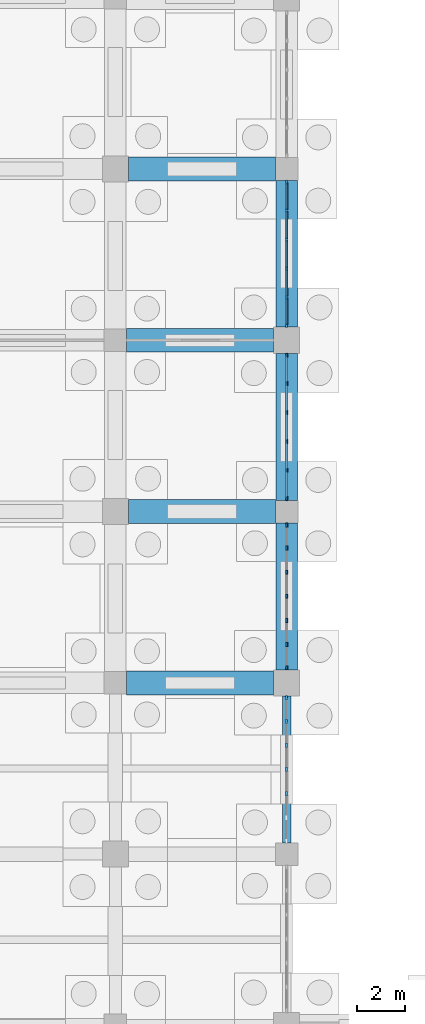
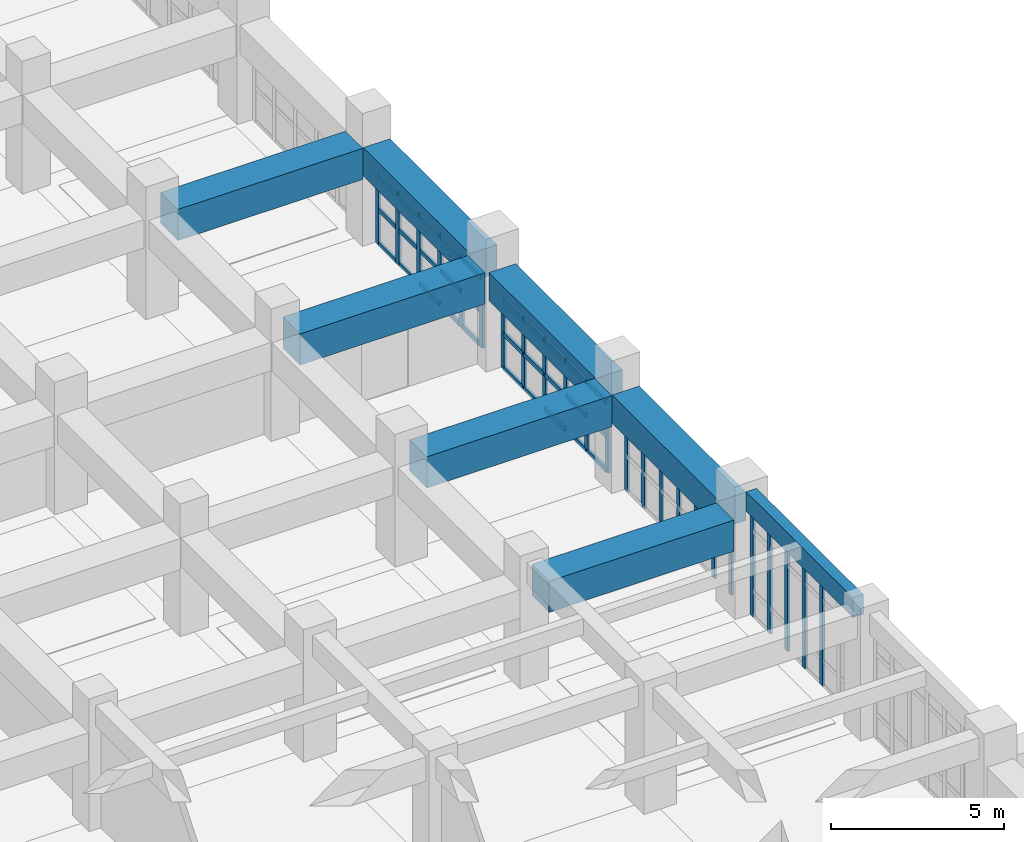
# One storey, part 20 of 79: 54 members, 8 beams, 4 elements without a shape of their own.
"""IFC4 building model written with IfcOpenShell, lengths in metres."""

from ifc_helpers import new_model, si_unit, direction, frame, origin, origin_2d, place, context, subcontext, project, spatial, rectangle, extrude, material, layer, layer_set, material_profile, profile_set, type_object, element, aggregate, save


model = new_model("IFC4")

# Units and contexts
model_context = context("Model", 3, precision=1e-05, world=origin(), true_north=direction((0.0, 1.0)))
body_context = subcontext(model_context, "Body", "Model", "MODEL_VIEW")
ifc_project = project(units=[si_unit("LENGTHUNIT", "METRE"), si_unit("AREAUNIT", "SQUARE_METRE"), si_unit("VOLUMEUNIT", "CUBIC_METRE"), si_unit("PLANEANGLEUNIT", "RADIAN"), si_unit("MASSUNIT", "GRAM", prefix="KILO")], contexts=[model_context])

# Site, building, storey
site_placement = place(None, origin())
site = spatial("IfcSite", under=ifc_project, at=site_placement, CompositionType="ELEMENT")
building_placement = place(site_placement, origin())
building = spatial("IfcBuilding", under=site, at=building_placement, Name="Kavelor Marine Aquarium", CompositionType="ELEMENT")
storey_placement = place(building_placement, origin())
storey = spatial("IfcBuildingStorey", under=building, at=storey_placement, Name="L00", CompositionType="ELEMENT", Elevation=0.0)

# Beams
ifc_material_1 = material(Name="Concrete C40/50", Category="concrete")
ifc_material_profile_1 = material_profile(ifc_material_1, rectangle(XDim=0.35009765625, YDim=0.699951171875, at=origin_2d()), Name="RC-SP 350x700")
ifc_profile_set_1 = profile_set([ifc_material_profile_1], Name="Concrete C40/50")
beam_type_1 = type_object("IfcBeamType", Name="BM-SP1", PredefinedType="SPANDREL", material=ifc_profile_set_1)
beam_1_placement = place(storey_placement, frame((39.199951171875, 32.074951171875, 4.030029296875), z_axis=(0.0, 1.0, 0.0), x_axis=(-1.0, 0.0, 0.0)))
element("IfcBeam", 1, at=beam_1_placement, inside=storey, type_object=beam_type_1, Name="bm:y:L00:L01:05_04", PredefinedType="SPANDREL", context=body_context, shape_type="SweptSolid", body=[
    extrude(rectangle(XDim=0.35009765625, YDim=0.699951171875, at=origin_2d()), origin(), (0.0, 0.0, 1.0), 6.175048828125),
])
ifc_material_2 = material(Name="Concrete C45/55", Category="concrete")
ifc_material_profile_2 = material_profile(ifc_material_2, rectangle(XDim=1.0, YDim=1.10009765625, at=origin_2d()), Name="RC-TG 1000x1100")
ifc_profile_set_2 = profile_set([ifc_material_profile_2], Name="Concrete C45/55")
beam_type_2 = type_object("IfcBeamType", Name="BM-TG1", PredefinedType="BEAM", material=ifc_profile_set_2)
beam_2_placement = place(storey_placement, frame((32.47509765625, 38.800048828125, 2.929931640625), z_axis=(1.0, 0.0, 0.0), x_axis=(0.0, 1.0, 0.0)))
element("IfcBeam", 2, at=beam_2_placement, inside=storey, type_object=beam_type_2, Name="bm:x:L00:L01:04_05", PredefinedType="BEAM", context=body_context, shape_type="SweptSolid", body=[
    extrude(rectangle(XDim=1.0, YDim=1.10009765625, at=origin_2d()), origin(), (0.0, 0.0, 1.0), 6.1748046875),
])
beam_3_placement = place(storey_placement, frame((32.550048828125, 46.0, 2.929931640625), z_axis=(1.0, 0.0, 0.0), x_axis=(0.0, 1.0, 0.0)))
element("IfcBeam", 3, at=beam_3_placement, inside=storey, type_object=beam_type_2, Name="bm:x:L00:L01:04_06", PredefinedType="BEAM", context=body_context, shape_type="SweptSolid", body=[
    extrude(rectangle(XDim=1.0, YDim=1.10009765625, at=origin_2d()), origin(), (0.0, 0.0, 1.0), 6.175048828125),
])
beam_4_placement = place(storey_placement, frame((32.47509765625, 53.199951171875, 2.929931640625), z_axis=(1.0, 0.0, 0.0), x_axis=(0.0, 1.0, 0.0)))
element("IfcBeam", 4, at=beam_4_placement, inside=storey, type_object=beam_type_2, Name="bm:x:L00:L01:04_07", PredefinedType="BEAM", context=body_context, shape_type="SweptSolid", body=[
    extrude(rectangle(XDim=1.0, YDim=1.10009765625, at=origin_2d()), origin(), (0.0, 0.0, 1.0), 6.1748046875),
])
beam_5_placement = place(storey_placement, frame((32.550048828125, 60.39990234375, 2.929931640625), z_axis=(1.0, 0.0, 0.0), x_axis=(0.0, 1.0, 0.0)))
element("IfcBeam", 5, at=beam_5_placement, inside=storey, type_object=beam_type_2, Name="bm:x:L00:L01:04_08", PredefinedType="BEAM", context=body_context, shape_type="SweptSolid", body=[
    extrude(rectangle(XDim=1.0, YDim=1.10009765625, at=origin_2d()), origin(), (0.0, 0.0, 1.0), 6.175048828125),
])
ifc_material_3 = material(Name="Concrete C45/55", Category="concrete")
ifc_material_profile_3 = material_profile(ifc_material_3, rectangle(XDim=0.89990234375, YDim=1.0, at=origin_2d()), Name="RC-TG 900x1000")
ifc_profile_set_3 = profile_set([ifc_material_profile_3], Name="Concrete C45/55")
beam_type_3 = type_object("IfcBeamType", Name="BM-TG2", PredefinedType="BEAM", material=ifc_profile_set_3)
for number, where, z_axis, x_axis, name in (
    (6, (39.199951171875, 39.35009765625, 2.97998046875), (0.0, 1.0, 0.0), (-1.0, 0.0, 0.0), "bm:y:L00:L01:05_05"),
    (7, (39.199951171875, 46.47509765625, 2.97998046875), (0.0, 1.0, 0.0), (-1.0, 0.0, 0.0), "bm:y:L00:L01:05_06"),
):
    element("IfcBeam", number, at=place(storey_placement, frame(where, z_axis=z_axis, x_axis=x_axis)), inside=storey, type_object=beam_type_3, Name=name, PredefinedType="BEAM", context=body_context, shape_type="SweptSolid", body=[
        extrude(rectangle(XDim=0.89990234375, YDim=1.0, at=origin_2d()), origin(), (0.0, 0.0, 1.0), 6.1748046875),
    ])
beam_6_placement = place(storey_placement, frame((39.199951171875, 53.75, 2.97998046875), z_axis=(0.0, 1.0, 0.0), x_axis=(-1.0, 0.0, 0.0)))
element("IfcBeam", 8, at=beam_6_placement, inside=storey, type_object=beam_type_3, Name="bm:y:L00:L01:05_07", PredefinedType="BEAM", context=body_context, shape_type="SweptSolid", body=[
    extrude(rectangle(XDim=0.89990234375, YDim=1.0, at=origin_2d()), origin(), (0.0, 0.0, 1.0), 6.175048828125),
])

# Curtain wall, members
ifc_material_4 = material(Name="Thermally Broken Aluminium and Low-E Glass", Category="aluminium")
ifc_layer_1 = layer(ifc_material_4, 0.172119140625)
ifc_layer_set_1 = layer_set([ifc_layer_1], Name="CW-SYS4")
curtain_wall_type_1 = type_object("IfcCurtainWallType", Name="CW-SYS4", PredefinedType="USERDEFINED", material=ifc_layer_set_1)
curtain_wall_1_placement = place(storey_placement, origin())
curtain_wall_1 = element("IfcCurtainWall", 9, at=curtain_wall_1_placement, inside=storey, type_object=curtain_wall_type_1, Name="cw:y:L00:05_05", ObjectType="Curtain Wall", PredefinedType="USERDEFINED")
ifc_material_5 = material(Name="Anodised Aluminium Alloy 6063-T6", Category="aluminium")
ifc_material_profile_4 = material_profile(ifc_material_5, rectangle(XDim=0.074951171875, YDim=0.179931640625, at=origin_2d()), Name="CW-MUL 75x180")
ifc_profile_set_4 = profile_set([ifc_material_profile_4], Name="Anodised Aluminium Alloy 6063-T6")
member_type_1 = type_object("IfcMemberType", Name="CWM-1", PredefinedType="MULLION", material=ifc_profile_set_4)
member_1_placement = place(storey_placement, frame((39.199951171875, 39.4326171875, 0.0), z_axis=(0.0, 0.0, 1.0), x_axis=(-1.0, 0.0, 0.0)))
member_1 = element("IfcMember", 10, at=member_1_placement, type_object=member_type_1, Name="CW04 mullion 1", PredefinedType="MULLION", context=body_context, shape_type="SweptSolid", body=[
    extrude(rectangle(XDim=0.074951171875, YDim=0.179931640625, at=origin_2d()), origin(), (0.0, 0.0, 1.0), 2.469970703125),
])
member_2_placement = place(storey_placement, frame((39.199951171875, 40.4091796875, 0.0), z_axis=(0.0, 0.0, 1.0), x_axis=(-1.0, 0.0, 0.0)))
member_2 = element("IfcMember", 11, at=member_2_placement, type_object=member_type_1, Name="CW04 mullion 2", PredefinedType="MULLION", context=body_context, shape_type="SweptSolid", body=[
    extrude(rectangle(XDim=0.074951171875, YDim=0.179931640625, at=origin_2d()), origin(), (0.0, 0.0, 1.0), 2.469970703125),
])
member_3_placement = place(storey_placement, frame((39.199951171875, 41.42333984375, 0.0), z_axis=(0.0, 0.0, 1.0), x_axis=(-1.0, 0.0, 0.0)))
member_3 = element("IfcMember", 12, at=member_3_placement, type_object=member_type_1, Name="CW04 mullion 3", PredefinedType="MULLION", context=body_context, shape_type="SweptSolid", body=[
    extrude(rectangle(XDim=0.074951171875, YDim=0.179931640625, at=origin_2d()), origin(), (0.0, 0.0, 1.0), 2.469970703125),
])
member_4_placement = place(storey_placement, frame((39.199951171875, 42.4375, 0.0), z_axis=(0.0, 0.0, 1.0), x_axis=(-1.0, 0.0, 0.0)))
member_4 = element("IfcMember", 13, at=member_4_placement, type_object=member_type_1, Name="CW04 mullion 4", PredefinedType="MULLION", context=body_context, shape_type="SweptSolid", body=[
    extrude(rectangle(XDim=0.074951171875, YDim=0.179931640625, at=origin_2d()), origin(), (0.0, 0.0, 1.0), 2.469970703125),
])
member_5_placement = place(storey_placement, frame((39.199951171875, 43.45166015625, 0.0), z_axis=(0.0, 0.0, 1.0), x_axis=(-1.0, 0.0, 0.0)))
member_5 = element("IfcMember", 14, at=member_5_placement, type_object=member_type_1, Name="CW04 mullion 5", PredefinedType="MULLION", context=body_context, shape_type="SweptSolid", body=[
    extrude(rectangle(XDim=0.074951171875, YDim=0.179931640625, at=origin_2d()), origin(), (0.0, 0.0, 1.0), 2.469970703125),
])
member_6_placement = place(storey_placement, frame((39.199951171875, 44.4658203125, 0.0), z_axis=(0.0, 0.0, 1.0), x_axis=(-1.0, 0.0, 0.0)))
member_6 = element("IfcMember", 15, at=member_6_placement, type_object=member_type_1, Name="CW04 mullion 6", PredefinedType="MULLION", context=body_context, shape_type="SweptSolid", body=[
    extrude(rectangle(XDim=0.074951171875, YDim=0.179931640625, at=origin_2d()), origin(), (0.0, 0.0, 1.0), 2.469970703125),
])
member_7_placement = place(storey_placement, frame((39.199951171875, 45.4423828125, 0.0), z_axis=(0.0, 0.0, 1.0), x_axis=(-1.0, 0.0, 0.0)))
member_7 = element("IfcMember", 16, at=member_7_placement, type_object=member_type_1, Name="CW04 mullion 7", PredefinedType="MULLION", context=body_context, shape_type="SweptSolid", body=[
    extrude(rectangle(XDim=0.074951171875, YDim=0.179931640625, at=origin_2d()), origin(), (0.0, 0.0, 1.0), 2.469970703125),
])
aggregate(curtain_wall_1, [member_1, member_2, member_3, member_4, member_5, member_6, member_7])

ifc_material_6 = material(Name="Thermally Broken Aluminium and Low-E Glass", Category="aluminium")
ifc_layer_2 = layer(ifc_material_6, 0.179931640625)
ifc_layer_set_2 = layer_set([ifc_layer_2], Name="CW-SYS5")
curtain_wall_type_2 = type_object("IfcCurtainWallType", Name="CW-SYS5", PredefinedType="USERDEFINED", material=ifc_layer_set_2)
curtain_wall_2_placement = place(storey_placement, origin())
curtain_wall_2 = element("IfcCurtainWall", 17, at=curtain_wall_2_placement, inside=storey, type_object=curtain_wall_type_2, Name="cw:y:L00:05_06", ObjectType="Curtain Wall", PredefinedType="USERDEFINED")
ifc_material_7 = material(Name="Anodised Aluminium Alloy 6063-T6", Category="aluminium")
ifc_material_profile_5 = material_profile(ifc_material_7, rectangle(XDim=0.080078125, YDim=0.18505859375, at=origin_2d()), Name="CW-MUL 80x185")
ifc_profile_set_5 = profile_set([ifc_material_profile_5], Name="Anodised Aluminium Alloy 6063-T6")
member_type_2 = type_object("IfcMemberType", Name="CWM-2", PredefinedType="MULLION", material=ifc_profile_set_5)
member_8_placement = place(storey_placement, frame((39.199951171875, 46.552490234375, 0.0), z_axis=(0.0, 0.0, 1.0), x_axis=(-1.0, 0.0, 0.0)))
member_8 = element("IfcMember", 18, at=member_8_placement, type_object=member_type_2, Name="CW05 mullion 1", PredefinedType="MULLION", context=body_context, shape_type="SweptSolid", body=[
    extrude(rectangle(XDim=0.080078125, YDim=0.18505859375, at=origin_2d()), origin(), (0.0, 0.0, 1.0), 2.469970703125),
])
member_9_placement = place(storey_placement, frame((39.199951171875, 47.737060546875, 0.0), z_axis=(0.0, 0.0, 1.0), x_axis=(-1.0, 0.0, 0.0)))
member_9 = element("IfcMember", 19, at=member_9_placement, type_object=member_type_2, Name="CW05 mullion 2", PredefinedType="MULLION", context=body_context, shape_type="SweptSolid", body=[
    extrude(rectangle(XDim=0.080078125, YDim=0.18505859375, at=origin_2d()), origin(), (0.0, 0.0, 1.0), 2.469970703125),
])
member_10_placement = place(storey_placement, frame((39.199951171875, 48.9541015625, 0.0), z_axis=(0.0, 0.0, 1.0), x_axis=(-1.0, 0.0, 0.0)))
member_10 = element("IfcMember", 20, at=member_10_placement, type_object=member_type_2, Name="CW05 mullion 3", PredefinedType="MULLION", context=body_context, shape_type="SweptSolid", body=[
    extrude(rectangle(XDim=0.080078125, YDim=0.18505859375, at=origin_2d()), origin(), (0.0, 0.0, 1.0), 2.469970703125),
])
member_11_placement = place(storey_placement, frame((39.199951171875, 50.1708984375, 0.0), z_axis=(0.0, 0.0, 1.0), x_axis=(-1.0, 0.0, 0.0)))
member_11 = element("IfcMember", 21, at=member_11_placement, type_object=member_type_2, Name="CW05 mullion 4", PredefinedType="MULLION", context=body_context, shape_type="SweptSolid", body=[
    extrude(rectangle(XDim=0.080078125, YDim=0.18505859375, at=origin_2d()), origin(), (0.0, 0.0, 1.0), 2.469970703125),
])
member_12_placement = place(storey_placement, frame((39.199951171875, 51.387939453125, 0.0), z_axis=(0.0, 0.0, 1.0), x_axis=(-1.0, 0.0, 0.0)))
member_12 = element("IfcMember", 22, at=member_12_placement, type_object=member_type_2, Name="CW05 mullion 5", PredefinedType="MULLION", context=body_context, shape_type="SweptSolid", body=[
    extrude(rectangle(XDim=0.080078125, YDim=0.18505859375, at=origin_2d()), origin(), (0.0, 0.0, 1.0), 2.469970703125),
])
member_13_placement = place(storey_placement, frame((39.199951171875, 52.572509765625, 0.0), z_axis=(0.0, 0.0, 1.0), x_axis=(-1.0, 0.0, 0.0)))
member_13 = element("IfcMember", 23, at=member_13_placement, type_object=member_type_2, Name="CW05 mullion 6", PredefinedType="MULLION", context=body_context, shape_type="SweptSolid", body=[
    extrude(rectangle(XDim=0.080078125, YDim=0.18505859375, at=origin_2d()), origin(), (0.0, 0.0, 1.0), 2.469970703125),
])

ifc_material_8 = material(Name="Thermally Broken Aluminium and Low-E Glass", Category="aluminium")
ifc_layer_3 = layer(ifc_material_8, 0.1640625)
ifc_layer_set_3 = layer_set([ifc_layer_3], Name="CW-SYS3")
curtain_wall_type_3 = type_object("IfcCurtainWallType", Name="CW-SYS3", PredefinedType="USERDEFINED", material=ifc_layer_set_3)
curtain_wall_3_placement = place(storey_placement, origin())
curtain_wall_3 = element("IfcCurtainWall", 24, at=curtain_wall_3_placement, inside=storey, type_object=curtain_wall_type_3, Name="cw:y:L00:05_04", ObjectType="Curtain Wall", PredefinedType="USERDEFINED")
ifc_material_9 = material(Name="Anodised Aluminium Alloy 6063-T6", Category="aluminium")
ifc_material_profile_6 = material_profile(ifc_material_9, rectangle(XDim=0.0849609375, YDim=0.18994140625, at=origin_2d()), Name="CW-MUL 85x190")
ifc_profile_set_6 = profile_set([ifc_material_profile_6], Name="Anodised Aluminium Alloy 6063-T6")
member_type_3 = type_object("IfcMemberType", Name="CWM-3", PredefinedType="MULLION", material=ifc_profile_set_6)
member_14_placement = place(storey_placement, frame((39.199951171875, 34.1484375, 0.0), z_axis=(0.0, 0.0, 1.0), x_axis=(-1.0, 0.0, 0.0)))
member_14 = element("IfcMember", 25, at=member_14_placement, type_object=member_type_3, Name="CW03 mullion 3", PredefinedType="MULLION", context=body_context, shape_type="SweptSolid", body=[
    extrude(rectangle(XDim=0.0849609375, YDim=0.18994140625, at=origin_2d()), origin(), (0.0, 0.0, 1.0), 3.669921875),
])
member_15_placement = place(storey_placement, frame((39.199951171875, 35.16259765625, 0.0), z_axis=(0.0, 0.0, 1.0), x_axis=(-1.0, 0.0, 0.0)))
member_15 = element("IfcMember", 26, at=member_15_placement, type_object=member_type_3, Name="CW03 mullion 4", PredefinedType="MULLION", context=body_context, shape_type="SweptSolid", body=[
    extrude(rectangle(XDim=0.0849609375, YDim=0.18994140625, at=origin_2d()), origin(), (0.0, 0.0, 1.0), 3.669921875),
])
member_16_placement = place(storey_placement, frame((39.199951171875, 36.1767578125, 0.0), z_axis=(0.0, 0.0, 1.0), x_axis=(-1.0, 0.0, 0.0)))
member_16 = element("IfcMember", 27, at=member_16_placement, type_object=member_type_3, Name="CW03 mullion 5", PredefinedType="MULLION", context=body_context, shape_type="SweptSolid", body=[
    extrude(rectangle(XDim=0.0849609375, YDim=0.18994140625, at=origin_2d()), origin(), (0.0, 0.0, 1.0), 3.669921875),
])
member_17_placement = place(storey_placement, frame((39.199951171875, 37.19091796875, 0.0), z_axis=(0.0, 0.0, 1.0), x_axis=(-1.0, 0.0, 0.0)))
member_17 = element("IfcMember", 28, at=member_17_placement, type_object=member_type_3, Name="CW03 mullion 6", PredefinedType="MULLION", context=body_context, shape_type="SweptSolid", body=[
    extrude(rectangle(XDim=0.0849609375, YDim=0.18994140625, at=origin_2d()), origin(), (0.0, 0.0, 1.0), 3.669921875),
])
member_18_placement = place(storey_placement, frame((39.199951171875, 38.175048828125, 0.0), z_axis=(0.0, 0.0, 1.0), x_axis=(-1.0, 0.0, 0.0)))
member_18 = element("IfcMember", 29, at=member_18_placement, type_object=member_type_3, Name="CW03 mullion 7", PredefinedType="MULLION", context=body_context, shape_type="SweptSolid", body=[
    extrude(rectangle(XDim=0.0849609375, YDim=0.18994140625, at=origin_2d()), origin(), (0.0, 0.0, 1.0), 3.669921875),
])
aggregate(curtain_wall_3, [member_14, member_15, member_16, member_17, member_18])

ifc_material_10 = material(Name="Thermally Broken Aluminium and Low-E Glass", Category="aluminium")
ifc_layer_4 = layer(ifc_material_10, 0.18798828125)
ifc_layer_set_4 = layer_set([ifc_layer_4], Name="CW-SYS6")
curtain_wall_type_4 = type_object("IfcCurtainWallType", Name="CW-SYS6", PredefinedType="USERDEFINED", material=ifc_layer_set_4)
curtain_wall_4_placement = place(storey_placement, origin())
curtain_wall_4 = element("IfcCurtainWall", 30, at=curtain_wall_4_placement, inside=storey, type_object=curtain_wall_type_4, Name="cw:y:L00:05_07", ObjectType="Curtain Wall", PredefinedType="USERDEFINED")
member_19_placement = place(storey_placement, frame((39.199951171875, 53.824951171875, 0.0), z_axis=(0.0, 0.0, 1.0), x_axis=(-1.0, 0.0, 0.0)))
member_19 = element("IfcMember", 31, at=member_19_placement, type_object=member_type_3, Name="CW06 mullion 1", PredefinedType="MULLION", context=body_context, shape_type="SweptSolid", body=[
    extrude(rectangle(XDim=0.0849609375, YDim=0.18994140625, at=origin_2d()), origin(), (0.0, 0.0, 1.0), 2.469970703125),
])
member_20_placement = place(storey_placement, frame((39.199951171875, 55.011962890625, 0.0), z_axis=(0.0, 0.0, 1.0), x_axis=(-1.0, 0.0, 0.0)))
member_20 = element("IfcMember", 32, at=member_20_placement, type_object=member_type_3, Name="CW06 mullion 2", PredefinedType="MULLION", context=body_context, shape_type="SweptSolid", body=[
    extrude(rectangle(XDim=0.0849609375, YDim=0.18994140625, at=origin_2d()), origin(), (0.0, 0.0, 1.0), 2.469970703125),
])
member_21_placement = place(storey_placement, frame((39.199951171875, 56.22900390625, 0.0), z_axis=(0.0, 0.0, 1.0), x_axis=(-1.0, 0.0, 0.0)))
member_21 = element("IfcMember", 33, at=member_21_placement, type_object=member_type_3, Name="CW06 mullion 3", PredefinedType="MULLION", context=body_context, shape_type="SweptSolid", body=[
    extrude(rectangle(XDim=0.0849609375, YDim=0.18994140625, at=origin_2d()), origin(), (0.0, 0.0, 1.0), 2.469970703125),
])
member_22_placement = place(storey_placement, frame((39.199951171875, 57.446044921875, 0.0), z_axis=(0.0, 0.0, 1.0), x_axis=(-1.0, 0.0, 0.0)))
member_22 = element("IfcMember", 34, at=member_22_placement, type_object=member_type_3, Name="CW06 mullion 4", PredefinedType="MULLION", context=body_context, shape_type="SweptSolid", body=[
    extrude(rectangle(XDim=0.0849609375, YDim=0.18994140625, at=origin_2d()), origin(), (0.0, 0.0, 1.0), 2.469970703125),
])
member_23_placement = place(storey_placement, frame((39.199951171875, 58.6630859375, 0.0), z_axis=(0.0, 0.0, 1.0), x_axis=(-1.0, 0.0, 0.0)))
member_23 = element("IfcMember", 35, at=member_23_placement, type_object=member_type_3, Name="CW06 mullion 5", PredefinedType="MULLION", context=body_context, shape_type="SweptSolid", body=[
    extrude(rectangle(XDim=0.0849609375, YDim=0.18994140625, at=origin_2d()), origin(), (0.0, 0.0, 1.0), 2.469970703125),
])
member_24_placement = place(storey_placement, frame((39.199951171875, 59.85009765625, 0.0), z_axis=(0.0, 0.0, 1.0), x_axis=(-1.0, 0.0, 0.0)))
member_24 = element("IfcMember", 36, at=member_24_placement, type_object=member_type_3, Name="CW06 mullion 6", PredefinedType="MULLION", context=body_context, shape_type="SweptSolid", body=[
    extrude(rectangle(XDim=0.0849609375, YDim=0.18994140625, at=origin_2d()), origin(), (0.0, 0.0, 1.0), 2.469970703125),
])
ifc_material_11 = material(Name="Anodised Aluminium Alloy 6063-T6", Category="aluminium")
ifc_material_profile_7 = material_profile(ifc_material_11, rectangle(XDim=0.074951171875, YDim=0.14990234375, at=origin_2d()), Name="CW-TRN 75x150")
ifc_profile_set_7 = profile_set([ifc_material_profile_7], Name="Anodised Aluminium Alloy 6063-T6")
member_type_4 = type_object("IfcMemberType", Name="CWT-1", PredefinedType="USERDEFINED", material=ifc_profile_set_7)
member_25_placement = place(storey_placement, frame((39.199951171875, 53.85498046875, 0.03759765625), z_axis=(0.0, 1.0, 0.0), x_axis=(-1.0, 0.0, 0.0)))
member_25 = element("IfcMember", 37, at=member_25_placement, type_object=member_type_4, Name="CW06 transom 1.1", ObjectType="TRANSOM", PredefinedType="USERDEFINED", context=body_context, shape_type="SweptSolid", body=[
    extrude(rectangle(XDim=0.074951171875, YDim=0.14990234375, at=origin_2d()), origin(), (0.0, 0.0, 1.0), 1.126953125),
])
member_26_placement = place(storey_placement, frame((39.199951171875, 53.85498046875, 1.235107421875), z_axis=(0.0, 1.0, 0.0), x_axis=(-1.0, 0.0, 0.0)))
member_26 = element("IfcMember", 38, at=member_26_placement, type_object=member_type_4, Name="CW06 transom 1.2", ObjectType="TRANSOM", PredefinedType="USERDEFINED", context=body_context, shape_type="SweptSolid", body=[
    extrude(rectangle(XDim=0.074951171875, YDim=0.14990234375, at=origin_2d()), origin(), (0.0, 0.0, 1.0), 1.126953125),
])
member_27_placement = place(storey_placement, frame((39.199951171875, 53.85498046875, 2.4326171875), z_axis=(0.0, 1.0, 0.0), x_axis=(-1.0, 0.0, 0.0)))
member_27 = element("IfcMember", 39, at=member_27_placement, type_object=member_type_4, Name="CW06 transom 1.3", ObjectType="TRANSOM", PredefinedType="USERDEFINED", context=body_context, shape_type="SweptSolid", body=[
    extrude(rectangle(XDim=0.074951171875, YDim=0.14990234375, at=origin_2d()), origin(), (0.0, 0.0, 1.0), 1.126953125),
])
member_28_placement = place(storey_placement, frame((39.199951171875, 55.0419921875, 0.03759765625), z_axis=(0.0, 1.0, 0.0), x_axis=(-1.0, 0.0, 0.0)))
member_28 = element("IfcMember", 40, at=member_28_placement, type_object=member_type_4, Name="CW06 transom 2.1", ObjectType="TRANSOM", PredefinedType="USERDEFINED", context=body_context, shape_type="SweptSolid", body=[
    extrude(rectangle(XDim=0.074951171875, YDim=0.14990234375, at=origin_2d()), origin(), (0.0, 0.0, 1.0), 1.156982421875),
])
member_29_placement = place(storey_placement, frame((39.199951171875, 55.0419921875, 1.235107421875), z_axis=(0.0, 1.0, 0.0), x_axis=(-1.0, 0.0, 0.0)))
member_29 = element("IfcMember", 41, at=member_29_placement, type_object=member_type_4, Name="CW06 transom 2.2", ObjectType="TRANSOM", PredefinedType="USERDEFINED", context=body_context, shape_type="SweptSolid", body=[
    extrude(rectangle(XDim=0.074951171875, YDim=0.14990234375, at=origin_2d()), origin(), (0.0, 0.0, 1.0), 1.156982421875),
])
member_30_placement = place(storey_placement, frame((39.199951171875, 55.0419921875, 2.4326171875), z_axis=(0.0, 1.0, 0.0), x_axis=(-1.0, 0.0, 0.0)))
member_30 = element("IfcMember", 42, at=member_30_placement, type_object=member_type_4, Name="CW06 transom 2.3", ObjectType="TRANSOM", PredefinedType="USERDEFINED", context=body_context, shape_type="SweptSolid", body=[
    extrude(rectangle(XDim=0.074951171875, YDim=0.14990234375, at=origin_2d()), origin(), (0.0, 0.0, 1.0), 1.156982421875),
])
member_31_placement = place(storey_placement, frame((39.199951171875, 56.259033203125, 0.03759765625), z_axis=(0.0, 1.0, 0.0), x_axis=(-1.0, 0.0, 0.0)))
member_31 = element("IfcMember", 43, at=member_31_placement, type_object=member_type_4, Name="CW06 transom 3.1", ObjectType="TRANSOM", PredefinedType="USERDEFINED", context=body_context, shape_type="SweptSolid", body=[
    extrude(rectangle(XDim=0.074951171875, YDim=0.14990234375, at=origin_2d()), origin(), (0.0, 0.0, 1.0), 1.156982421875),
])
member_32_placement = place(storey_placement, frame((39.199951171875, 56.259033203125, 1.235107421875), z_axis=(0.0, 1.0, 0.0), x_axis=(-1.0, 0.0, 0.0)))
member_32 = element("IfcMember", 44, at=member_32_placement, type_object=member_type_4, Name="CW06 transom 3.2", ObjectType="TRANSOM", PredefinedType="USERDEFINED", context=body_context, shape_type="SweptSolid", body=[
    extrude(rectangle(XDim=0.074951171875, YDim=0.14990234375, at=origin_2d()), origin(), (0.0, 0.0, 1.0), 1.156982421875),
])
member_33_placement = place(storey_placement, frame((39.199951171875, 56.259033203125, 2.4326171875), z_axis=(0.0, 1.0, 0.0), x_axis=(-1.0, 0.0, 0.0)))
member_33 = element("IfcMember", 45, at=member_33_placement, type_object=member_type_4, Name="CW06 transom 3.3", ObjectType="TRANSOM", PredefinedType="USERDEFINED", context=body_context, shape_type="SweptSolid", body=[
    extrude(rectangle(XDim=0.074951171875, YDim=0.14990234375, at=origin_2d()), origin(), (0.0, 0.0, 1.0), 1.156982421875),
])
member_34_placement = place(storey_placement, frame((39.199951171875, 57.47607421875, 0.03759765625), z_axis=(0.0, 1.0, 0.0), x_axis=(-1.0, 0.0, 0.0)))
member_34 = element("IfcMember", 46, at=member_34_placement, type_object=member_type_4, Name="CW06 transom 4.1", ObjectType="TRANSOM", PredefinedType="USERDEFINED", context=body_context, shape_type="SweptSolid", body=[
    extrude(rectangle(XDim=0.074951171875, YDim=0.14990234375, at=origin_2d()), origin(), (0.0, 0.0, 1.0), 1.156982421875),
])
member_35_placement = place(storey_placement, frame((39.199951171875, 57.47607421875, 1.235107421875), z_axis=(0.0, 1.0, 0.0), x_axis=(-1.0, 0.0, 0.0)))
member_35 = element("IfcMember", 47, at=member_35_placement, type_object=member_type_4, Name="CW06 transom 4.2", ObjectType="TRANSOM", PredefinedType="USERDEFINED", context=body_context, shape_type="SweptSolid", body=[
    extrude(rectangle(XDim=0.074951171875, YDim=0.14990234375, at=origin_2d()), origin(), (0.0, 0.0, 1.0), 1.156982421875),
])
member_36_placement = place(storey_placement, frame((39.199951171875, 57.47607421875, 2.4326171875), z_axis=(0.0, 1.0, 0.0), x_axis=(-1.0, 0.0, 0.0)))
member_36 = element("IfcMember", 48, at=member_36_placement, type_object=member_type_4, Name="CW06 transom 4.3", ObjectType="TRANSOM", PredefinedType="USERDEFINED", context=body_context, shape_type="SweptSolid", body=[
    extrude(rectangle(XDim=0.074951171875, YDim=0.14990234375, at=origin_2d()), origin(), (0.0, 0.0, 1.0), 1.156982421875),
])
member_37_placement = place(storey_placement, frame((39.199951171875, 58.693115234375, 0.03759765625), z_axis=(0.0, 1.0, 0.0), x_axis=(-1.0, 0.0, 0.0)))
member_37 = element("IfcMember", 49, at=member_37_placement, type_object=member_type_4, Name="CW06 transom 5.1", ObjectType="TRANSOM", PredefinedType="USERDEFINED", context=body_context, shape_type="SweptSolid", body=[
    extrude(rectangle(XDim=0.074951171875, YDim=0.14990234375, at=origin_2d()), origin(), (0.0, 0.0, 1.0), 1.126953125),
])
member_38_placement = place(storey_placement, frame((39.199951171875, 58.693115234375, 1.235107421875), z_axis=(0.0, 1.0, 0.0), x_axis=(-1.0, 0.0, 0.0)))
member_38 = element("IfcMember", 50, at=member_38_placement, type_object=member_type_4, Name="CW06 transom 5.2", ObjectType="TRANSOM", PredefinedType="USERDEFINED", context=body_context, shape_type="SweptSolid", body=[
    extrude(rectangle(XDim=0.074951171875, YDim=0.14990234375, at=origin_2d()), origin(), (0.0, 0.0, 1.0), 1.126953125),
])
member_39_placement = place(storey_placement, frame((39.199951171875, 58.693115234375, 2.4326171875), z_axis=(0.0, 1.0, 0.0), x_axis=(-1.0, 0.0, 0.0)))
member_39 = element("IfcMember", 51, at=member_39_placement, type_object=member_type_4, Name="CW06 transom 5.3", ObjectType="TRANSOM", PredefinedType="USERDEFINED", context=body_context, shape_type="SweptSolid", body=[
    extrude(rectangle(XDim=0.074951171875, YDim=0.14990234375, at=origin_2d()), origin(), (0.0, 0.0, 1.0), 1.126953125),
])
aggregate(curtain_wall_4, [member_19, member_20, member_21, member_22, member_23, member_24, member_25, member_26, member_27, member_28, member_29, member_30, member_31, member_32, member_33, member_34, member_35, member_36, member_37, member_38, member_39])

# Member
ifc_material_12 = material(Name="Anodised Aluminium Alloy 6063-T6", Category="aluminium")
ifc_material_profile_8 = material_profile(ifc_material_12, rectangle(XDim=0.0849609375, YDim=0.159912109375, at=origin_2d()), Name="CW-TRN 85x160")
ifc_profile_set_8 = profile_set([ifc_material_profile_8], Name="Anodised Aluminium Alloy 6063-T6")
member_type_5 = type_object("IfcMemberType", Name="CWT-3", PredefinedType="USERDEFINED", material=ifc_profile_set_8)
member_40_placement = place(storey_placement, frame((39.199951171875, 46.5849609375, 0.030029296875), z_axis=(0.0, 1.0, 0.0), x_axis=(-1.0, 0.0, 0.0)))
member_40 = element("IfcMember", 52, at=member_40_placement, type_object=member_type_5, Name="CW05 transom 1.1", ObjectType="TRANSOM", PredefinedType="USERDEFINED", context=body_context, shape_type="SweptSolid", body=[
    extrude(rectangle(XDim=0.0849609375, YDim=0.159912109375, at=origin_2d()), origin(), (0.0, 0.0, 1.0), 1.11962890625),
])

member_41_placement = place(storey_placement, frame((39.199951171875, 46.5849609375, 1.235107421875), z_axis=(0.0, 1.0, 0.0), x_axis=(-1.0, 0.0, 0.0)))
member_41 = element("IfcMember", 53, at=member_41_placement, type_object=member_type_5, Name="CW05 transom 1.2", ObjectType="TRANSOM", PredefinedType="USERDEFINED", context=body_context, shape_type="SweptSolid", body=[
    extrude(rectangle(XDim=0.0849609375, YDim=0.159912109375, at=origin_2d()), origin(), (0.0, 0.0, 1.0), 1.11962890625),
])

member_42_placement = place(storey_placement, frame((39.199951171875, 46.5849609375, 2.43994140625), z_axis=(0.0, 1.0, 0.0), x_axis=(-1.0, 0.0, 0.0)))
member_42 = element("IfcMember", 54, at=member_42_placement, type_object=member_type_5, Name="CW05 transom 1.3", ObjectType="TRANSOM", PredefinedType="USERDEFINED", context=body_context, shape_type="SweptSolid", body=[
    extrude(rectangle(XDim=0.0849609375, YDim=0.159912109375, at=origin_2d()), origin(), (0.0, 0.0, 1.0), 1.11962890625),
])

member_43_placement = place(storey_placement, frame((39.199951171875, 47.76953125, 0.030029296875), z_axis=(0.0, 1.0, 0.0), x_axis=(-1.0, 0.0, 0.0)))
member_43 = element("IfcMember", 55, at=member_43_placement, type_object=member_type_5, Name="CW05 transom 2.1", ObjectType="TRANSOM", PredefinedType="USERDEFINED", context=body_context, shape_type="SweptSolid", body=[
    extrude(rectangle(XDim=0.0849609375, YDim=0.159912109375, at=origin_2d()), origin(), (0.0, 0.0, 1.0), 1.15185546875),
])

member_44_placement = place(storey_placement, frame((39.199951171875, 47.76953125, 1.235107421875), z_axis=(0.0, 1.0, 0.0), x_axis=(-1.0, 0.0, 0.0)))
member_44 = element("IfcMember", 56, at=member_44_placement, type_object=member_type_5, Name="CW05 transom 2.2", ObjectType="TRANSOM", PredefinedType="USERDEFINED", context=body_context, shape_type="SweptSolid", body=[
    extrude(rectangle(XDim=0.0849609375, YDim=0.159912109375, at=origin_2d()), origin(), (0.0, 0.0, 1.0), 1.15185546875),
])

member_45_placement = place(storey_placement, frame((39.199951171875, 47.76953125, 2.43994140625), z_axis=(0.0, 1.0, 0.0), x_axis=(-1.0, 0.0, 0.0)))
member_45 = element("IfcMember", 57, at=member_45_placement, type_object=member_type_5, Name="CW05 transom 2.3", ObjectType="TRANSOM", PredefinedType="USERDEFINED", context=body_context, shape_type="SweptSolid", body=[
    extrude(rectangle(XDim=0.0849609375, YDim=0.159912109375, at=origin_2d()), origin(), (0.0, 0.0, 1.0), 1.15185546875),
])

member_46_placement = place(storey_placement, frame((39.199951171875, 48.986572265625, 0.030029296875), z_axis=(0.0, 1.0, 0.0), x_axis=(-1.0, 0.0, 0.0)))
member_46 = element("IfcMember", 58, at=member_46_placement, type_object=member_type_5, Name="CW05 transom 3.1", ObjectType="TRANSOM", PredefinedType="USERDEFINED", context=body_context, shape_type="SweptSolid", body=[
    extrude(rectangle(XDim=0.0849609375, YDim=0.159912109375, at=origin_2d()), origin(), (0.0, 0.0, 1.0), 1.15185546875),
])

member_47_placement = place(storey_placement, frame((39.199951171875, 48.986572265625, 1.235107421875), z_axis=(0.0, 1.0, 0.0), x_axis=(-1.0, 0.0, 0.0)))
member_47 = element("IfcMember", 59, at=member_47_placement, type_object=member_type_5, Name="CW05 transom 3.2", ObjectType="TRANSOM", PredefinedType="USERDEFINED", context=body_context, shape_type="SweptSolid", body=[
    extrude(rectangle(XDim=0.0849609375, YDim=0.159912109375, at=origin_2d()), origin(), (0.0, 0.0, 1.0), 1.15185546875),
])

member_48_placement = place(storey_placement, frame((39.199951171875, 48.986572265625, 2.43994140625), z_axis=(0.0, 1.0, 0.0), x_axis=(-1.0, 0.0, 0.0)))
member_48 = element("IfcMember", 60, at=member_48_placement, type_object=member_type_5, Name="CW05 transom 3.3", ObjectType="TRANSOM", PredefinedType="USERDEFINED", context=body_context, shape_type="SweptSolid", body=[
    extrude(rectangle(XDim=0.0849609375, YDim=0.159912109375, at=origin_2d()), origin(), (0.0, 0.0, 1.0), 1.15185546875),
])

member_49_placement = place(storey_placement, frame((39.199951171875, 50.20361328125, 0.030029296875), z_axis=(0.0, 1.0, 0.0), x_axis=(-1.0, 0.0, 0.0)))
member_49 = element("IfcMember", 61, at=member_49_placement, type_object=member_type_5, Name="CW05 transom 4.1", ObjectType="TRANSOM", PredefinedType="USERDEFINED", context=body_context, shape_type="SweptSolid", body=[
    extrude(rectangle(XDim=0.0849609375, YDim=0.159912109375, at=origin_2d()), origin(), (0.0, 0.0, 1.0), 1.15185546875),
])

member_50_placement = place(storey_placement, frame((39.199951171875, 50.20361328125, 1.235107421875), z_axis=(0.0, 1.0, 0.0), x_axis=(-1.0, 0.0, 0.0)))
member_50 = element("IfcMember", 62, at=member_50_placement, type_object=member_type_5, Name="CW05 transom 4.2", ObjectType="TRANSOM", PredefinedType="USERDEFINED", context=body_context, shape_type="SweptSolid", body=[
    extrude(rectangle(XDim=0.0849609375, YDim=0.159912109375, at=origin_2d()), origin(), (0.0, 0.0, 1.0), 1.15185546875),
])

member_51_placement = place(storey_placement, frame((39.199951171875, 50.20361328125, 2.43994140625), z_axis=(0.0, 1.0, 0.0), x_axis=(-1.0, 0.0, 0.0)))
member_51 = element("IfcMember", 63, at=member_51_placement, type_object=member_type_5, Name="CW05 transom 4.3", ObjectType="TRANSOM", PredefinedType="USERDEFINED", context=body_context, shape_type="SweptSolid", body=[
    extrude(rectangle(XDim=0.0849609375, YDim=0.159912109375, at=origin_2d()), origin(), (0.0, 0.0, 1.0), 1.15185546875),
])

member_52_placement = place(storey_placement, frame((39.199951171875, 51.42041015625, 0.030029296875), z_axis=(0.0, 1.0, 0.0), x_axis=(-1.0, 0.0, 0.0)))
member_52 = element("IfcMember", 64, at=member_52_placement, type_object=member_type_5, Name="CW05 transom 5.1", ObjectType="TRANSOM", PredefinedType="USERDEFINED", context=body_context, shape_type="SweptSolid", body=[
    extrude(rectangle(XDim=0.0849609375, YDim=0.159912109375, at=origin_2d()), origin(), (0.0, 0.0, 1.0), 1.11962890625),
])

member_53_placement = place(storey_placement, frame((39.199951171875, 51.42041015625, 1.235107421875), z_axis=(0.0, 1.0, 0.0), x_axis=(-1.0, 0.0, 0.0)))
member_53 = element("IfcMember", 65, at=member_53_placement, type_object=member_type_5, Name="CW05 transom 5.2", ObjectType="TRANSOM", PredefinedType="USERDEFINED", context=body_context, shape_type="SweptSolid", body=[
    extrude(rectangle(XDim=0.0849609375, YDim=0.159912109375, at=origin_2d()), origin(), (0.0, 0.0, 1.0), 1.11962890625),
])

member_54_placement = place(storey_placement, frame((39.199951171875, 51.42041015625, 2.43994140625), z_axis=(0.0, 1.0, 0.0), x_axis=(-1.0, 0.0, 0.0)))
member_54 = element("IfcMember", 66, at=member_54_placement, type_object=member_type_5, Name="CW05 transom 5.3", ObjectType="TRANSOM", PredefinedType="USERDEFINED", context=body_context, shape_type="SweptSolid", body=[
    extrude(rectangle(XDim=0.0849609375, YDim=0.159912109375, at=origin_2d()), origin(), (0.0, 0.0, 1.0), 1.11962890625),
])

aggregate(curtain_wall_2, [member_8, member_9, member_10, member_11, member_12, member_13, member_40, member_41, member_42, member_43, member_44, member_45, member_46, member_47, member_48, member_49, member_50, member_51, member_52, member_53, member_54])

save(model, "model.ifc")
